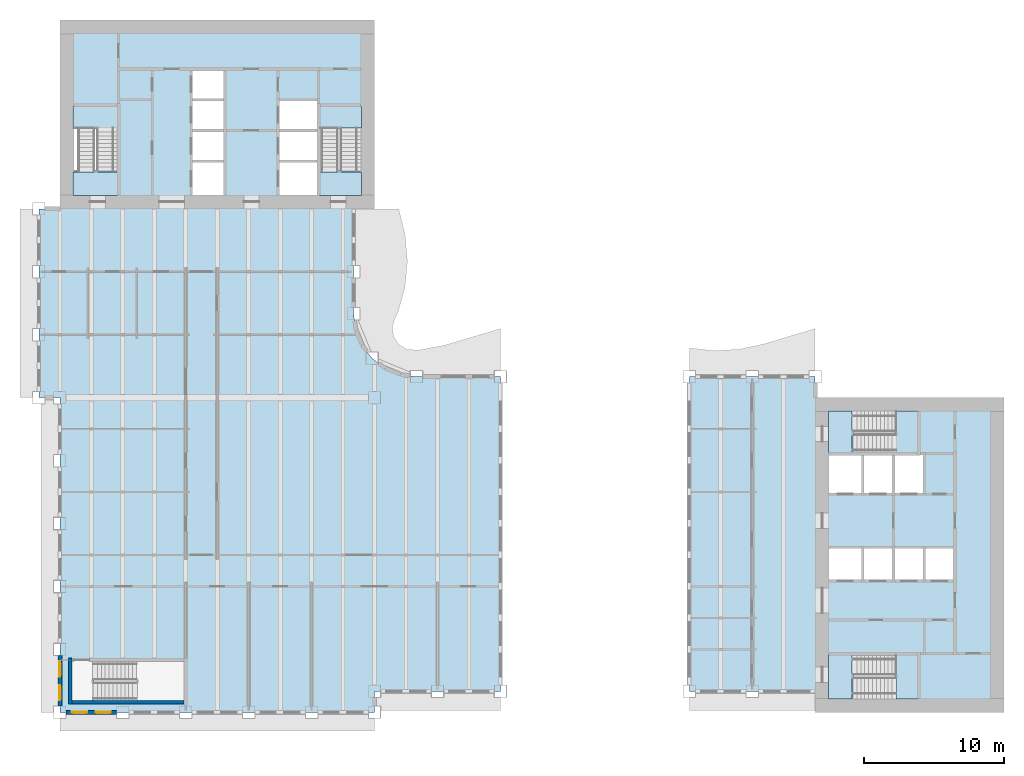
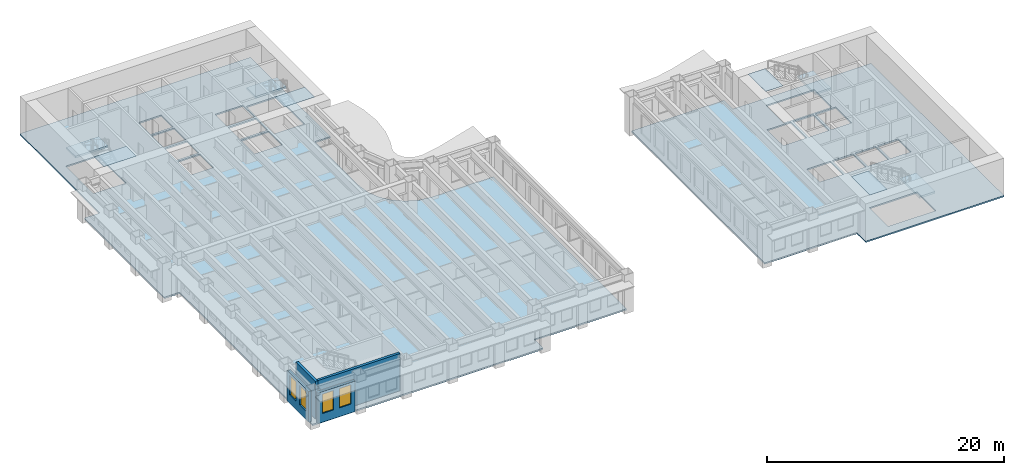
# One storey, part 2 of 13: 10 slabs, 4 walls, 4 windows, 4 openings, 4 elements without a shape of their own.
"""IFC4 building model written with IfcOpenShell, lengths in metres."""

from ifc_helpers import new_model, si_unit, direction, frame, frame_2d, origin, place, context, subcontext, project, spatial, polyline, rectangle, outline, extrude, material, layer, layer_set, type_object, element, fill, aggregate, save


model = new_model("IFC4")

# Units and contexts
model_context = context("Model", 3, precision=1e-05, world=origin(), true_north=direction((0.0, 1.0)))
body_context = subcontext(model_context, "Body", "Model", "MODEL_VIEW")
ifc_project = project(units=[si_unit("LENGTHUNIT", "METRE"), si_unit("AREAUNIT", "SQUARE_METRE"), si_unit("VOLUMEUNIT", "CUBIC_METRE"), si_unit("PLANEANGLEUNIT", "RADIAN"), si_unit("MASSUNIT", "GRAM", prefix="KILO")], contexts=[model_context])

# Site, building, storey
site_placement = place(None, origin())
site = spatial("IfcSite", under=ifc_project, at=site_placement, CompositionType="ELEMENT")
building_placement = place(site_placement, origin())
building = spatial("IfcBuilding", under=site, at=building_placement, Name="Sennacour Bend Tower", CompositionType="ELEMENT")
storey_placement = place(building_placement, frame((0.0, 0.0, 143.0)))
storey = spatial("IfcBuildingStorey", under=building, at=storey_placement, Name="L32", CompositionType="ELEMENT", Elevation=143.0)

# Slabs
ifc_material_1 = material(Name="Concrete C30/37", Category="concrete")
ifc_layer_1 = layer(ifc_material_1, 0.14990234375, Name="Concrete C30/37", Category="concrete")
ifc_layer_set_1 = layer_set([ifc_layer_1], Name="Concrete C30/37")
slab_type_1 = type_object("IfcSlabType", Name="Floor slab 150", PredefinedType="FLOOR", material=ifc_layer_set_1)
slab_1_placement = place(storey_placement, frame((0.0, 0.0, -0.14990234375)))
element("IfcSlab", 1, at=slab_1_placement, inside=storey, type_object=slab_type_1, Name="Floor slab L32-01", PredefinedType="FLOOR", context=body_context, shape_type="SweptSolid", body=[
    extrude(outline(polyline([(45.0, 24.0), (54.0, 24.0), (54.0, 22.5), (67.5, 22.5), (67.5, 0.0), (54.0, 0.0), (54.0, 1.5), (45.0, 1.5), (45.0, 24.0)]), holes=[polyline([(61.39990234375, 4.125), (56.72998046875, 4.125), (56.72998046875, 0.949951171875), (61.39990234375, 0.949951171875), (61.39990234375, 4.125)]), polyline([(57.300048828125, 11.699951171875), (55.0, 11.699951171875), (55.0, 9.5), (57.300048828125, 9.5), (57.300048828125, 11.699951171875)]), polyline([(59.5, 11.699951171875), (57.5, 11.699951171875), (57.5, 9.5), (59.5, 9.5), (59.5, 11.699951171875)]), polyline([(61.699951171875, 11.699951171875), (59.699951171875, 11.699951171875), (59.699951171875, 9.5), (61.699951171875, 9.5), (61.699951171875, 11.699951171875)]), polyline([(63.89990234375, 11.699951171875), (61.89990234375, 11.699951171875), (61.89990234375, 9.5), (63.89990234375, 9.5), (63.89990234375, 11.699951171875)]), polyline([(57.300048828125, 18.39990234375), (55.0, 18.39990234375), (55.0, 15.699951171875), (57.300048828125, 15.699951171875), (57.300048828125, 18.39990234375)]), polyline([(59.5, 18.39990234375), (57.5, 18.39990234375), (57.5, 15.699951171875), (59.5, 15.699951171875), (59.5, 18.39990234375)]), polyline([(61.699951171875, 15.699951171875), (61.699951171875, 18.39990234375), (59.699951171875, 18.39990234375), (59.699951171875, 15.699951171875), (61.699951171875, 15.699951171875)]), polyline([(61.39990234375, 18.574951171875), (61.39990234375, 21.550048828125), (56.72998046875, 21.550048828125), (56.72998046875, 18.574951171875), (61.39990234375, 18.574951171875)])]), origin(), (0.0, 0.0, 1.0), 0.14990234375),
])
slab_2_placement = place(storey_placement, frame((0.0, 0.0, -0.14990234375)))
element("IfcSlab", 2, at=slab_2_placement, inside=storey, type_object=slab_type_1, Name="Floor slab L32-02", PredefinedType="FLOOR", context=body_context, shape_type="SweptSolid", body=[
    extrude(outline(polyline([(31.5, 1.5), (22.5, 1.5), (22.5, 0.0), (0.0, 0.0), (0.0, 22.5), (-1.5, 22.5), (-1.5, 36.0), (0.0, 36.0), (0.0, 49.5), (22.5, 49.5), (22.5, 36.0), (21.0, 36.0), (21.0, 28.5), (21.1533203125, 27.335205078125), (21.602783203125, 26.25), (22.318115234375, 25.318115234375), (23.25, 24.602783203125), (24.335205078125, 24.1533203125), (25.5, 24.0), (31.5, 24.0), (31.5, 1.5)]), holes=[polyline([(8.800048828125, 3.5), (2.429931640625, 3.5), (2.429931640625, 0.949951171875), (8.800048828125, 0.949951171875), (8.800048828125, 3.5)]), polyline([(11.699951171875, 39.300048828125), (9.5, 39.300048828125), (9.5, 37.0), (11.699951171875, 37.0), (11.699951171875, 39.300048828125)]), polyline([(18.39990234375, 39.300048828125), (15.699951171875, 39.300048828125), (15.699951171875, 37.0), (18.39990234375, 37.0), (18.39990234375, 39.300048828125)]), polyline([(11.699951171875, 39.5), (11.699951171875, 41.5), (9.5, 41.5), (9.5, 39.5), (11.699951171875, 39.5)]), polyline([(18.39990234375, 39.5), (18.39990234375, 41.5), (15.699951171875, 41.5), (15.699951171875, 39.5), (18.39990234375, 39.5)]), polyline([(4.125, 43.39990234375), (0.949951171875, 43.39990234375), (0.949951171875, 38.72998046875), (4.125, 38.72998046875), (4.125, 43.39990234375)]), polyline([(21.550048828125, 43.39990234375), (18.574951171875, 43.39990234375), (18.574951171875, 38.72998046875), (21.550048828125, 38.72998046875), (21.550048828125, 43.39990234375)]), polyline([(11.699951171875, 43.699951171875), (9.5, 43.699951171875), (9.5, 41.699951171875), (11.699951171875, 41.699951171875), (11.699951171875, 43.699951171875)]), polyline([(18.39990234375, 41.699951171875), (18.39990234375, 43.699951171875), (15.699951171875, 43.699951171875), (15.699951171875, 41.699951171875), (18.39990234375, 41.699951171875)]), polyline([(11.699951171875, 43.89990234375), (11.699951171875, 45.89990234375), (9.5, 45.89990234375), (9.5, 43.89990234375), (11.699951171875, 43.89990234375)])]), origin(), (0.0, 0.0, 1.0), 0.14990234375),
])
ifc_material_2 = material(Name="Concrete C40/50", Category="concrete")
ifc_layer_2 = layer(ifc_material_2, 0.034912109375, Name="Concrete C40/50", Category="concrete")
ifc_layer_set_2 = layer_set([ifc_layer_2], Name="Concrete C40/50")
slab_type_2 = type_object("IfcSlabType", Name="Stair arrival nib 35", PredefinedType="FLOOR", material=ifc_layer_set_2)
slab_3_placement = place(storey_placement, frame((0.0, 0.0, 3.815185546875)))
element("IfcSlab", 3, at=slab_3_placement, inside=storey, type_object=slab_type_2, Name="L32 SA1 stair arrival nib", PredefinedType="FLOOR", context=body_context, shape_type="SweptSolid", body=[
    extrude(outline(polyline([(56.64208984375, 4.125), (54.949951171875, 4.125), (54.949951171875, 0.949951171875), (56.64208984375, 0.949951171875), (56.64208984375, 4.125)])), origin(), (0.0, 0.0, 1.0), 0.034912109375),
])
slab_4_placement = place(storey_placement, frame((0.0, 0.0, 3.815185546875)))
element("IfcSlab", 4, at=slab_4_placement, inside=storey, type_object=slab_type_2, Name="L32 SA2 stair arrival nib", PredefinedType="FLOOR", context=body_context, shape_type="SweptSolid", body=[
    extrude(outline(polyline([(56.64208984375, 21.550048828125), (54.949951171875, 21.550048828125), (54.949951171875, 18.574951171875), (56.64208984375, 18.574951171875), (56.64208984375, 21.550048828125)])), origin(), (0.0, 0.0, 1.0), 0.034912109375),
])
slab_5_placement = place(storey_placement, frame((0.0, 0.0, 3.815185546875)))
element("IfcSlab", 5, at=slab_5_placement, inside=storey, type_object=slab_type_2, Name="L32 SB1 stair arrival nib", PredefinedType="FLOOR", context=body_context, shape_type="SweptSolid", body=[
    extrude(outline(polyline([(0.949951171875, 38.64208984375), (0.949951171875, 36.949951171875), (4.125, 36.949951171875), (4.125, 38.64208984375), (0.949951171875, 38.64208984375)])), origin(), (0.0, 0.0, 1.0), 0.034912109375),
])
slab_6_placement = place(storey_placement, frame((0.0, 0.0, 3.815185546875)))
element("IfcSlab", 6, at=slab_6_placement, inside=storey, type_object=slab_type_2, Name="L32 SB2 stair arrival nib", PredefinedType="FLOOR", context=body_context, shape_type="SweptSolid", body=[
    extrude(outline(polyline([(18.574951171875, 38.64208984375), (18.574951171875, 36.949951171875), (21.550048828125, 36.949951171875), (21.550048828125, 38.64208984375), (18.574951171875, 38.64208984375)])), origin(), (0.0, 0.0, 1.0), 0.034912109375),
])

# Stair, slab
stair_type = type_object("IfcStairType", Name="ST-DOGLEG", PredefinedType="HALF_TURN_STAIR", material=ifc_material_2)
stair_1_placement = place(storey_placement, origin())
stair_1 = element("IfcStair", 7, at=stair_1_placement, inside=storey, type_object=stair_type, Name="L32 Exit stair A1", PredefinedType="HALF_TURN_STAIR")
ifc_layer_3 = layer(ifc_material_2, 0.199951171875, Name="Concrete C40/50", Category="concrete")
ifc_layer_set_3 = layer_set([ifc_layer_3], Name="Concrete C40/50")
slab_type_3 = type_object("IfcSlabType", Name="Stair landing 200", PredefinedType="LANDING", material=ifc_layer_set_3)
slab_7_placement = place(storey_placement, frame((0.0, 0.0, 1.800048828125)))
slab_7 = element("IfcSlab", 8, at=slab_7_placement, type_object=slab_type_3, Name="SA1 landing 1", PredefinedType="LANDING", context=body_context, shape_type="SweptSolid", body=[
    extrude(outline(polyline([(59.780029296875, 0.949951171875), (61.324951171875, 0.949951171875), (61.324951171875, 4.125), (59.780029296875, 4.125), (59.780029296875, 0.949951171875)])), origin(), (0.0, 0.0, 1.0), 0.199951171875),
])
aggregate(stair_1, [slab_7])

stair_2_placement = place(storey_placement, origin())
stair_2 = element("IfcStair", 9, at=stair_2_placement, inside=storey, type_object=stair_type, Name="L32 Exit stair A2", PredefinedType="HALF_TURN_STAIR")
slab_8_placement = place(storey_placement, frame((0.0, 0.0, 1.800048828125)))
slab_8 = element("IfcSlab", 10, at=slab_8_placement, type_object=slab_type_3, Name="SA2 landing 1", PredefinedType="LANDING", context=body_context, shape_type="SweptSolid", body=[
    extrude(outline(polyline([(59.780029296875, 18.574951171875), (61.324951171875, 18.574951171875), (61.324951171875, 21.550048828125), (59.780029296875, 21.550048828125), (59.780029296875, 18.574951171875)])), origin(), (0.0, 0.0, 1.0), 0.199951171875),
])
aggregate(stair_2, [slab_8])

stair_3_placement = place(storey_placement, origin())
stair_3 = element("IfcStair", 11, at=stair_3_placement, inside=storey, type_object=stair_type, Name="L32 Exit stair B1", PredefinedType="HALF_TURN_STAIR")
slab_9_placement = place(storey_placement, frame((0.0, 0.0, 1.800048828125)))
slab_9 = element("IfcSlab", 12, at=slab_9_placement, type_object=slab_type_3, Name="SB1 landing 1", PredefinedType="LANDING", context=body_context, shape_type="SweptSolid", body=[
    extrude(outline(polyline([(0.949951171875, 41.780029296875), (4.125, 41.780029296875), (4.125, 43.324951171875), (0.949951171875, 43.324951171875), (0.949951171875, 41.780029296875)])), origin(), (0.0, 0.0, 1.0), 0.199951171875),
])
aggregate(stair_3, [slab_9])

stair_4_placement = place(storey_placement, origin())
stair_4 = element("IfcStair", 13, at=stair_4_placement, inside=storey, type_object=stair_type, Name="L32 Exit stair B2", PredefinedType="HALF_TURN_STAIR")
slab_10_placement = place(storey_placement, frame((0.0, 0.0, 1.800048828125)))
slab_10 = element("IfcSlab", 14, at=slab_10_placement, type_object=slab_type_3, Name="SB2 landing 1", PredefinedType="LANDING", context=body_context, shape_type="SweptSolid", body=[
    extrude(outline(polyline([(18.574951171875, 41.780029296875), (21.550048828125, 41.780029296875), (21.550048828125, 43.324951171875), (18.574951171875, 43.324951171875), (18.574951171875, 41.780029296875)])), origin(), (0.0, 0.0, 1.0), 0.199951171875),
])
aggregate(stair_4, [slab_10])

# Wall, openings, windows
ifc_material_3 = material(Name="Warm limestone cladding", Category="masonry")
ifc_layer_4 = layer(ifc_material_3, 0.050048828125, Name="Warm limestone cladding", Category="masonry")
ifc_material_4 = material(Name="Precast concrete C40/50", Category="concrete")
ifc_layer_5 = layer(ifc_material_4, 0.25, Name="Precast concrete C40/50", Category="concrete")
ifc_layer_set_4 = layer_set([ifc_layer_4, ifc_layer_5], Name="Precast concrete C40/50 with limestone cladding")
wall_type_1 = type_object("IfcWallType", Name="STONE-CLAD PRECAST SPANDREL 300", PredefinedType="STANDARD", material=ifc_layer_set_4)
wall_1_placement = place(storey_placement, frame((0.0, 4.050048828125, 0.0), z_axis=(0.0, 0.0, 1.0), x_axis=(0.0, -1.0, 0.0)))
wall_1 = element("IfcWall", 15, at=wall_1_placement, inside=storey, type_object=wall_type_1, Name="Stone spandrel and pier wall L32 23.04", PredefinedType="STANDARD", context=body_context, shape_type="SweptSolid", body=[
    extrude(rectangle(XDim=3.60009765625, YDim=0.300048828125, at=frame_2d((1.800048828125, 0.0))), origin(), (0.0, 0.0, 1.0), 3.14892578125),
])
opening_1_placement = place(wall_1_placement, frame((0.39990234375, 0.0, 0.89990234375)))
opening_1 = element("IfcOpeningElement", 16, at=opening_1_placement, cuts=wall_1, Name="Opening W19", PredefinedType="OPENING", context=body_context, shape_type="SweptSolid", body=[
    extrude(rectangle(XDim=1.10009765625, YDim=2.0, at=frame_2d((0.550048828125, 1.0))), frame((0.0, 0.16015625, 0.0), z_axis=(0.0, -1.0, 0.0), x_axis=(1.0, 0.0, 0.0)), (0.0, 0.0, 1.0), 0.320068359375),
])
opening_2_placement = place(wall_1_placement, frame((2.10009765625, 0.0, 0.89990234375)))
opening_2 = element("IfcOpeningElement", 17, at=opening_2_placement, cuts=wall_1, Name="Opening W19", PredefinedType="OPENING", context=body_context, shape_type="SweptSolid", body=[
    extrude(rectangle(XDim=1.10009765625, YDim=2.0, at=frame_2d((0.550048828125, 1.0))), frame((0.0, 0.16015625, 0.0), z_axis=(0.0, -1.0, 0.0), x_axis=(1.0, 0.0, 0.0)), (0.0, 0.0, 1.0), 0.320068359375),
])
ifc_material_5 = material(Name="Clear low-emissivity glass", Category="glass")
window_type = type_object("IfcWindowType", Name="WIN-RIBBON-1100x2000", PartitioningType="SINGLE_PANEL", PredefinedType="WINDOW", material=ifc_material_5)
window_1_placement = place(opening_1_placement, origin())
window_1 = element("IfcWindow", 18, at=window_1_placement, inside=storey, type_object=window_type, Name="Ribbon window L32 23.04.0", OverallHeight=2.0, OverallWidth=1.10009765625, PartitioningType="SINGLE_PANEL", PredefinedType="WINDOW", context=body_context, shape_type="SweptSolid", body=[
    extrude(rectangle(XDim=1.10009765625, YDim=2.0, at=frame_2d((0.550048828125, 1.0))), frame((0.0, 0.030029296875, 0.0), z_axis=(0.0, -1.0, 0.0), x_axis=(1.0, 0.0, 0.0)), (0.0, 0.0, 1.0), 0.06005859375),
])
fill(opening_1, window_1)
window_2_placement = place(opening_2_placement, origin())
window_2 = element("IfcWindow", 19, at=window_2_placement, inside=storey, type_object=window_type, Name="Ribbon window L32 23.04.1", OverallHeight=2.0, OverallWidth=1.10009765625, PartitioningType="SINGLE_PANEL", PredefinedType="WINDOW", context=body_context, shape_type="SweptSolid", body=[
    extrude(rectangle(XDim=1.10009765625, YDim=2.0, at=frame_2d((0.550048828125, 1.0))), frame((0.0, 0.030029296875, 0.0), z_axis=(0.0, -1.0, 0.0), x_axis=(1.0, 0.0, 0.0)), (0.0, 0.0, 1.0), 0.06005859375),
])
fill(opening_2, window_2)

wall_2_placement = place(storey_placement, frame((0.449951171875, 0.0, 0.0), z_axis=(0.0, 0.0, 1.0), x_axis=(1.0, 0.0, 0.0)))
wall_2 = element("IfcWall", 20, at=wall_2_placement, inside=storey, type_object=wall_type_1, Name="Stone spandrel and pier wall L32 24.00", PredefinedType="STANDARD", context=body_context, shape_type="SweptSolid", body=[
    extrude(rectangle(XDim=3.60009765625, YDim=0.300048828125, at=frame_2d((1.800048828125, 0.0))), origin(), (0.0, 0.0, 1.0), 3.14892578125),
])
opening_3_placement = place(wall_2_placement, frame((0.39990234375, 0.0, 0.89990234375)))
opening_3 = element("IfcOpeningElement", 21, at=opening_3_placement, cuts=wall_2, Name="Opening W19", PredefinedType="OPENING", context=body_context, shape_type="SweptSolid", body=[
    extrude(rectangle(XDim=1.10009765625, YDim=2.0, at=frame_2d((0.550048828125, 1.0))), frame((0.0, 0.16015625, 0.0), z_axis=(0.0, -1.0, 0.0), x_axis=(1.0, 0.0, 0.0)), (0.0, 0.0, 1.0), 0.320068359375),
])
opening_4_placement = place(wall_2_placement, frame((2.10009765625, 0.0, 0.89990234375)))
opening_4 = element("IfcOpeningElement", 22, at=opening_4_placement, cuts=wall_2, Name="Opening W19", PredefinedType="OPENING", context=body_context, shape_type="SweptSolid", body=[
    extrude(rectangle(XDim=1.10009765625, YDim=2.0, at=frame_2d((0.550048828125, 1.0))), frame((0.0, 0.16015625, 0.0), z_axis=(0.0, -1.0, 0.0), x_axis=(1.0, 0.0, 0.0)), (0.0, 0.0, 1.0), 0.320068359375),
])
window_3_placement = place(opening_3_placement, origin())
window_3 = element("IfcWindow", 23, at=window_3_placement, inside=storey, type_object=window_type, Name="Ribbon window L32 24.00.0", OverallHeight=2.0, OverallWidth=1.10009765625, PartitioningType="SINGLE_PANEL", PredefinedType="WINDOW", context=body_context, shape_type="SweptSolid", body=[
    extrude(rectangle(XDim=1.10009765625, YDim=2.0, at=frame_2d((0.550048828125, 1.0))), frame((0.0, 0.030029296875, 0.0), z_axis=(0.0, -1.0, 0.0), x_axis=(1.0, 0.0, 0.0)), (0.0, 0.0, 1.0), 0.06005859375),
])
fill(opening_3, window_3)
window_4_placement = place(opening_4_placement, origin())
window_4 = element("IfcWindow", 24, at=window_4_placement, inside=storey, type_object=window_type, Name="Ribbon window L32 24.00.1", OverallHeight=2.0, OverallWidth=1.10009765625, PartitioningType="SINGLE_PANEL", PredefinedType="WINDOW", context=body_context, shape_type="SweptSolid", body=[
    extrude(rectangle(XDim=1.10009765625, YDim=2.0, at=frame_2d((0.550048828125, 1.0))), frame((0.0, 0.030029296875, 0.0), z_axis=(0.0, -1.0, 0.0), x_axis=(1.0, 0.0, 0.0)), (0.0, 0.0, 1.0), 0.06005859375),
])
fill(opening_4, window_4)

# Walls
ifc_material_6 = material(Name="Concrete C60/75", Category="concrete")
ifc_layer_6 = layer(ifc_material_6, 0.25, Name="Concrete C60/75", Category="concrete")
ifc_layer_set_5 = layer_set([ifc_layer_6], Name="Concrete C60/75")
wall_type_2 = type_object("IfcWallType", Name="Stair wall 250", PredefinedType="SHEAR", material=ifc_layer_set_5)
wall_3_placement = place(storey_placement, frame((0.72509765625, 0.60009765625, 0.0), z_axis=(0.0, 0.0, 1.0), x_axis=(0.0, 1.0, 0.0)))
element("IfcWall", 25, at=wall_3_placement, inside=storey, type_object=wall_type_2, Name="P-L32-W003", PredefinedType="SHEAR", context=body_context, shape_type="SweptSolid", body=[
    extrude(rectangle(XDim=3.27490234375, YDim=0.25, at=frame_2d((1.637451171875, 0.0))), origin(), (0.0, 0.0, 1.0), 3.85009765625),
])
wall_4_placement = place(storey_placement, frame((0.85009765625, 0.72509765625, 0.0), z_axis=(0.0, 0.0, 1.0), x_axis=(1.0, 0.0, 0.0)))
element("IfcWall", 26, at=wall_4_placement, inside=storey, type_object=wall_type_2, Name="P-L32-W042", PredefinedType="SHEAR", context=body_context, shape_type="SweptSolid", body=[
    extrude(rectangle(XDim=8.02490234375, YDim=0.25, at=frame_2d((4.012451171875, 0.0))), origin(), (0.0, 0.0, 1.0), 3.85009765625),
])

save(model, "model.ifc")
